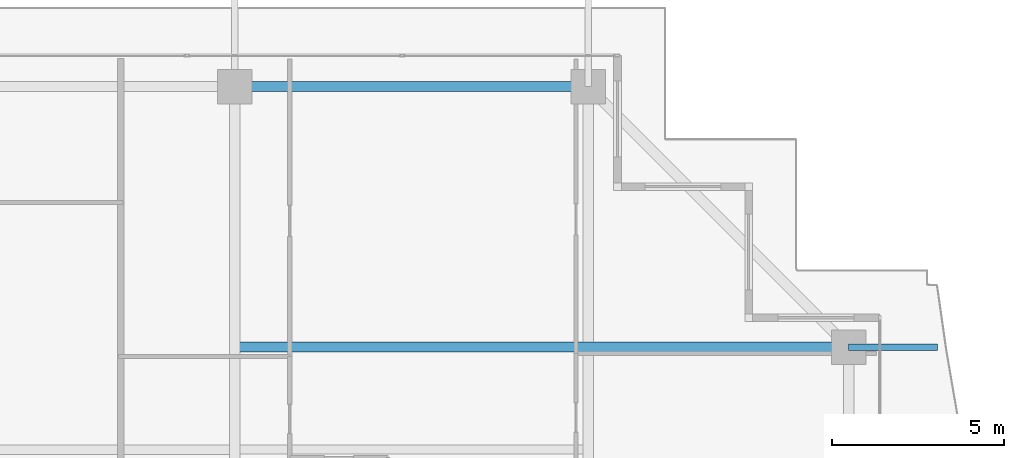
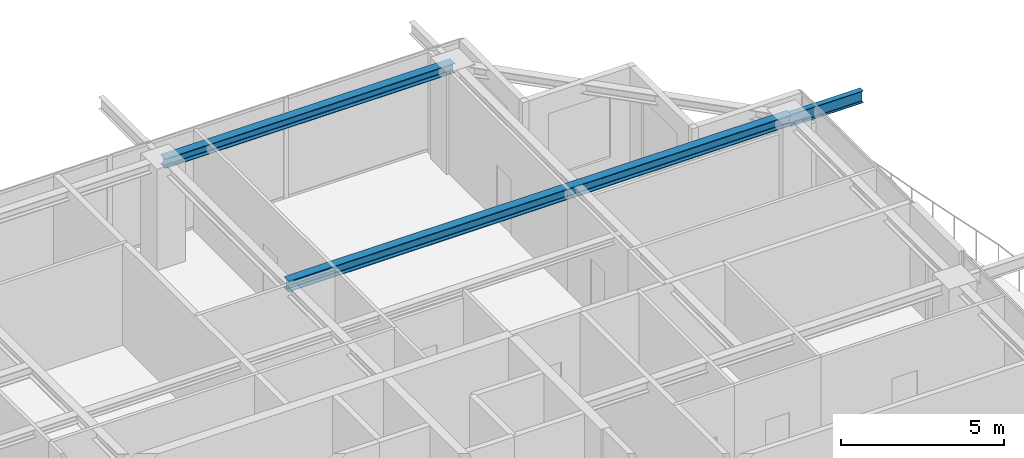
# One storey, part 27 of 42: 3 beams.
"""IFC4 building model written with IfcOpenShell, lengths in metres."""

from ifc_helpers import new_model, si_unit, direction, frame, origin, origin_2d, place, context, subcontext, project, spatial, i_section, extrude, source, transform, mapped, material, material_profile, profile_set, type_object, element, save


model = new_model("IFC4")

# Units and contexts
model_context = context("Model", 3, precision=1e-05, world=origin(), true_north=direction((0.0, 1.0)))
body_context = subcontext(model_context, "Body", "Model", "MODEL_VIEW")
ifc_project = project(units=[si_unit("LENGTHUNIT", "METRE"), si_unit("AREAUNIT", "SQUARE_METRE"), si_unit("VOLUMEUNIT", "CUBIC_METRE"), si_unit("PLANEANGLEUNIT", "RADIAN"), si_unit("MASSUNIT", "GRAM", prefix="KILO")], contexts=[model_context])

# Site, building, storey
site_placement = place(None, origin())
site = spatial("IfcSite", under=ifc_project, at=site_placement, CompositionType="ELEMENT")
building_placement = place(site_placement, origin())
building = spatial("IfcBuilding", under=site, at=building_placement, Name="Serunith Strait Residences", CompositionType="ELEMENT")
storey_placement = place(building_placement, frame((0.0, 0.0, 325.85009765625)))
storey = spatial("IfcBuildingStorey", under=building, at=storey_placement, Name="L81", CompositionType="ELEMENT", Elevation=325.85009765625)

# Beams
ifc_material = material(Name="Steel S355J2", Category="steel")
ifc_material_profile_1 = material_profile(ifc_material, i_section(OverallWidth=0.300048828125, OverallDepth=0.39990234375, WebThickness=0.013427734375, FlangeThickness=0.02392578125, FilletRadius=0.027099609375, at=origin_2d()), Name="HEB 400")
ifc_profile_set_1 = profile_set([ifc_material_profile_1], Name="Steel S355J2")
beam_type_1 = type_object("IfcBeamType", Name="BM-HEB400", PredefinedType="BEAM", material=ifc_profile_set_1)
shared_shape_1 = source(origin(), body_context, "Body", "SweptSolid", [
    extrude(i_section(OverallWidth=0.300048828125, OverallDepth=0.39990234375, WebThickness=0.013427734375, FlangeThickness=0.02392578125, FilletRadius=0.027099609375, at=origin_2d()), origin(), (0.0, 0.0, 1.0), 17.800048828125),
])
beam_1_placement = place(storey_placement, frame((36.89990234375, 39.550048828125, 3.5869140625), z_axis=(1.0, 0.0, 0.0), x_axis=(0.0, 1.0, 0.0)))
element("IfcBeam", 1, at=beam_1_placement, inside=storey, type_object=beam_type_1, Name="L81 Orthogonal Corner Girder TC-E4", PredefinedType="BEAM", context=body_context, shape_type="MappedRepresentation", body=[
    mapped(shared_shape_1, transform((0.0, 0.0, 0.0), scale=1.0)),
])
ifc_material_profile_2 = material_profile(ifc_material, i_section(OverallWidth=0.300048828125, OverallDepth=0.360107421875, WebThickness=0.012451171875, FlangeThickness=0.0224609375, FilletRadius=0.027099609375, at=origin_2d()), Name="HEB 360")
ifc_profile_set_2 = profile_set([ifc_material_profile_2], Name="Steel S355J2")
beam_type_2 = type_object("IfcBeamType", Name="BM-HEB360", PredefinedType="BEAM", material=ifc_profile_set_2)
shared_shape_2 = source(origin(), body_context, "Body", "SweptSolid", [
    extrude(i_section(OverallWidth=0.300048828125, OverallDepth=0.360107421875, WebThickness=0.012451171875, FlangeThickness=0.0224609375, FilletRadius=0.027099609375, at=origin_2d()), origin(), (0.0, 0.0, 1.0), 10.25),
])
beam_2_placement = place(storey_placement, frame((47.14990234375, 47.10009765625, 3.60693359375), z_axis=(-1.0, 0.0, 0.0), x_axis=(0.0, -1.0, 0.0)))
element("IfcBeam", 2, at=beam_2_placement, inside=storey, type_object=beam_type_2, Name="L81 Perimeter Ring Beam 09", PredefinedType="BEAM", context=body_context, shape_type="MappedRepresentation", body=[
    mapped(shared_shape_2, transform((0.0, 0.0, 0.0), scale=1.0)),
])
ifc_material_profile_3 = material_profile(ifc_material, i_section(OverallWidth=0.18994140625, OverallDepth=0.449951171875, WebThickness=0.009521484375, FlangeThickness=0.0146484375, FilletRadius=0.02099609375, at=origin_2d()), Name="IPE 450")
ifc_profile_set_3 = profile_set([ifc_material_profile_3], Name="Steel S355J2")
beam_type_3 = type_object("IfcBeamType", Name="BM-IPE450", PredefinedType="JOIST", material=ifc_profile_set_3)
shared_shape_3 = source(origin(), body_context, "Body", "SweptSolid", [
    extrude(i_section(OverallWidth=0.18994140625, OverallDepth=0.449951171875, WebThickness=0.009521484375, FlangeThickness=0.0146484375, FilletRadius=0.02099609375, at=origin_2d()), origin(), (0.0, 0.0, 1.0), 2.57275390625),
])
beam_3_placement = place(storey_placement, frame((54.699951171875, 39.550048828125, 3.531982421875), z_axis=(1.0, 0.0, 0.0), x_axis=(0.0, 1.0, 0.0)))
element("IfcBeam", 3, at=beam_3_placement, inside=storey, type_object=beam_type_3, Name="L82 Cantilevered Balcony Rib TC-E4", PredefinedType="JOIST", context=body_context, shape_type="MappedRepresentation", body=[
    mapped(shared_shape_3, transform((0.0, 0.0, 0.0), scale=1.0)),
])

save(model, "model.ifc")
